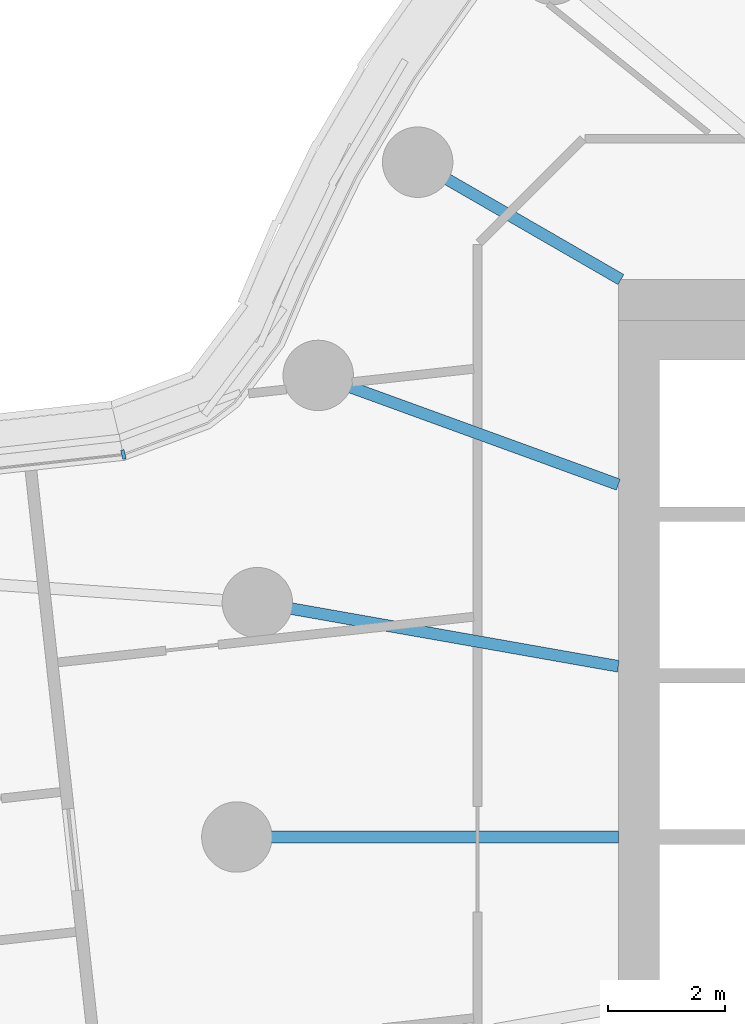
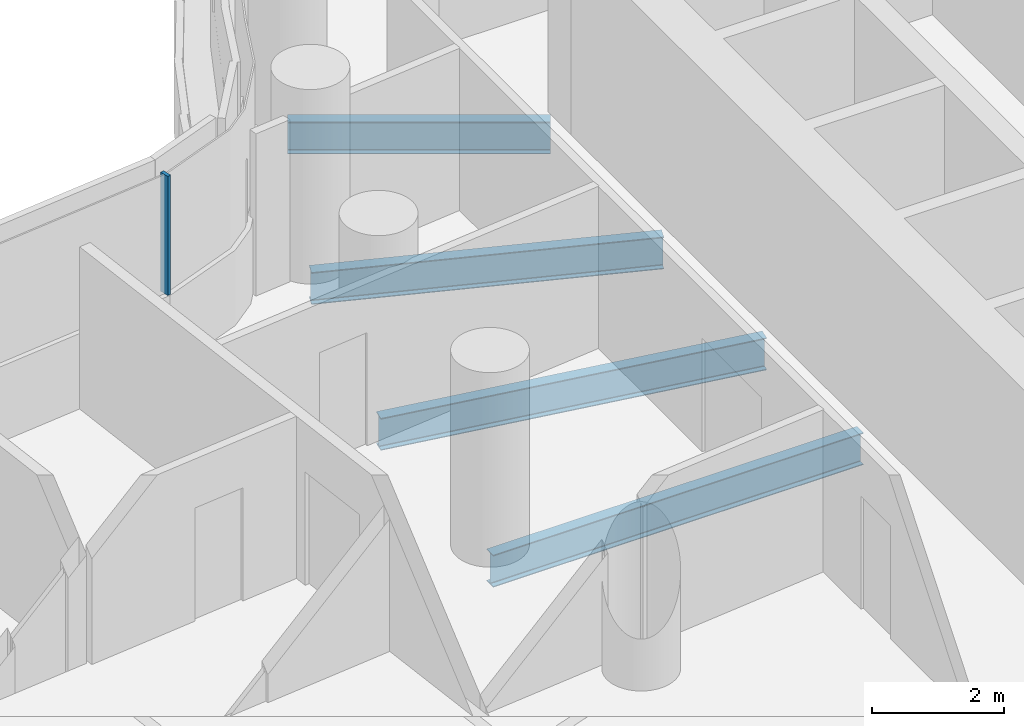
# One storey, part 7 of 31: 4 beams, 1 member, 1 element without a shape of its own.
"""IFC4 building model written with IfcOpenShell, lengths in metres."""

from ifc_helpers import new_model, si_unit, direction, frame, origin, origin_2d, place, context, subcontext, project, spatial, rectangle, i_section, extrude, material, layer, layer_set, material_profile, profile_set, type_object, element, aggregate, save


model = new_model("IFC4")

# Units and contexts
model_context = context("Model", 3, precision=1e-05, world=origin(), true_north=direction((0.0, 1.0)))
body_context = subcontext(model_context, "Body", "Model", "MODEL_VIEW")
ifc_project = project(units=[si_unit("LENGTHUNIT", "METRE"), si_unit("AREAUNIT", "SQUARE_METRE"), si_unit("VOLUMEUNIT", "CUBIC_METRE"), si_unit("PLANEANGLEUNIT", "RADIAN"), si_unit("MASSUNIT", "GRAM", prefix="KILO")], contexts=[model_context])

# Site, building, storey
site_placement = place(None, origin())
site = spatial("IfcSite", under=ifc_project, at=site_placement, CompositionType="ELEMENT")
building_placement = place(site_placement, origin())
building = spatial("IfcBuilding", under=site, at=building_placement, Name="Tamarind Cross Interchange Tower", CompositionType="ELEMENT")
storey_placement = place(building_placement, frame((0.0, 0.0, 56.5)))
storey = spatial("IfcBuildingStorey", under=building, at=storey_placement, Name="L12", CompositionType="ELEMENT", Elevation=56.5)

# Beams
ifc_material_1 = material(Name="Steel Q355B", Category="steel")
ifc_material_profile_1 = material_profile(ifc_material_1, i_section(OverallWidth=0.198974609375, OverallDepth=0.595947265625, WebThickness=0.010009765625, FlangeThickness=0.014892578125, FilletRadius=0.012939453125, at=origin_2d()), Name="HN 596x199x10x15")
ifc_profile_set_1 = profile_set([ifc_material_profile_1], Name="Steel Q355B")
beam_type = type_object("IfcBeamType", Name="Composite beam HN 596x199x10x15 Q355B", PredefinedType="BEAM", material=ifc_profile_set_1)
beam_1_placement = place(storey_placement, frame((-19.918701171875, 11.5, -0.43798828125), z_axis=(0.866026010844, -0.49999894854, 0.0), x_axis=(0.49999894854, 0.866026010844, 0.0)))
element("IfcBeam", 1, at=beam_1_placement, inside=storey, type_object=beam_type, Name="Beam HH15", PredefinedType="BEAM", context=body_context, shape_type="SweptSolid", body=[
    extrude(i_section(OverallWidth=0.198974609375, OverallDepth=0.595947265625, WebThickness=0.010009765625, FlangeThickness=0.014892578125, FilletRadius=0.012939453125, at=origin_2d()), origin(), (0.0, 0.0, 1.0), 4.0),
])
beam_2_placement = place(storey_placement, frame((-21.613037109375, 7.866455078125, -0.43798828125), z_axis=(0.939701685589, -0.341995236956, 0.0), x_axis=(0.341995236956, 0.939701685589, 0.0)))
element("IfcBeam", 2, at=beam_2_placement, inside=storey, type_object=beam_type, Name="Beam HH16", PredefinedType="BEAM", context=body_context, shape_type="SweptSolid", body=[
    extrude(i_section(OverallWidth=0.198974609375, OverallDepth=0.595947265625, WebThickness=0.010009765625, FlangeThickness=0.014892578125, FilletRadius=0.012939453125, at=origin_2d()), origin(), (0.0, 0.0, 1.0), 5.441162109375),
])
beam_3_placement = place(storey_placement, frame((-22.650634765625, 3.993896484375, -0.43798828125), z_axis=(0.984809127561, -0.173640382036, 0.0), x_axis=(0.173640382036, 0.984809127561, 0.0)))
element("IfcBeam", 3, at=beam_3_placement, inside=storey, type_object=beam_type, Name="Beam HH17", PredefinedType="BEAM", context=body_context, shape_type="SweptSolid", body=[
    extrude(i_section(OverallWidth=0.198974609375, OverallDepth=0.595947265625, WebThickness=0.010009765625, FlangeThickness=0.014892578125, FilletRadius=0.012939453125, at=origin_2d()), origin(), (0.0, 0.0, 1.0), 6.24560546875),
])
beam_4_placement = place(storey_placement, frame((-23.0, 0.0, -0.43798828125), z_axis=(1.0, 0.0, 0.0), x_axis=(0.0, 1.0, 0.0)))
element("IfcBeam", 4, at=beam_4_placement, inside=storey, type_object=beam_type, Name="Beam HH18", PredefinedType="BEAM", context=body_context, shape_type="SweptSolid", body=[
    extrude(i_section(OverallWidth=0.198974609375, OverallDepth=0.595947265625, WebThickness=0.010009765625, FlangeThickness=0.014892578125, FilletRadius=0.012939453125, at=origin_2d()), origin(), (0.0, 0.0, 1.0), 6.5),
])

# Curtain wall, member
ifc_material_2 = material(Name="Aluminium 6063-T6", Category="aluminium")
ifc_layer = layer(ifc_material_2, 0.159912109375)
ifc_layer_set = layer_set([ifc_layer], Name="Aluminium 6063-T6")
curtain_wall_type = type_object("IfcCurtainWallType", Name="Office curtain wall, 9.0 m bays", PredefinedType="NOTDEFINED", material=ifc_layer_set)
curtain_wall_placement = place(storey_placement, origin())
curtain_wall = element("IfcCurtainWall", 5, at=curtain_wall_placement, inside=storey, type_object=curtain_wall_type, Name="CWS-L12-07", PredefinedType="NOTDEFINED")
ifc_material_profile_2 = material_profile(ifc_material_2, rectangle(XDim=0.06005859375, YDim=0.159912109375, at=origin_2d()), Name="Mullion CW1")
ifc_profile_set_2 = profile_set([ifc_material_profile_2], Name="Aluminium 6063-T6")
member_type = type_object("IfcMemberType", Name="Mullion CW1", PredefinedType="MULLION", material=ifc_profile_set_2)
member_placement = place(storey_placement, frame((-24.9326171875, 6.518798828125, 1.39990234375), z_axis=(0.0, 0.0, 1.0), x_axis=(-0.972951316751, -0.231010249193, 0.0)))
member = element("IfcMember", 6, at=member_placement, type_object=member_type, Name="CWM-L12-07-00", PredefinedType="MULLION", context=body_context, shape_type="SweptSolid", body=[
    extrude(rectangle(XDim=0.06005859375, YDim=0.159912109375, at=origin_2d()), origin(), (0.0, 0.0, 1.0), 2.210205078125),
])
aggregate(curtain_wall, [member])

save(model, "model.ifc")
